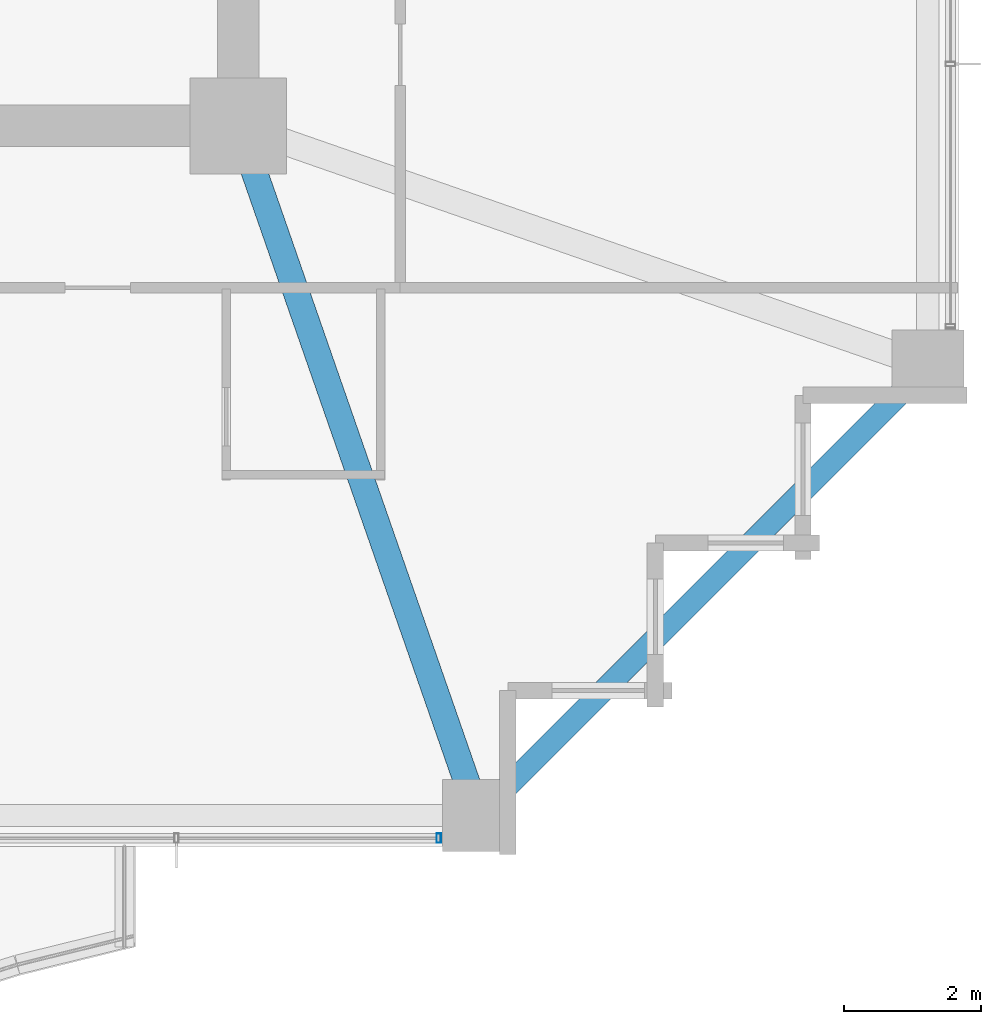
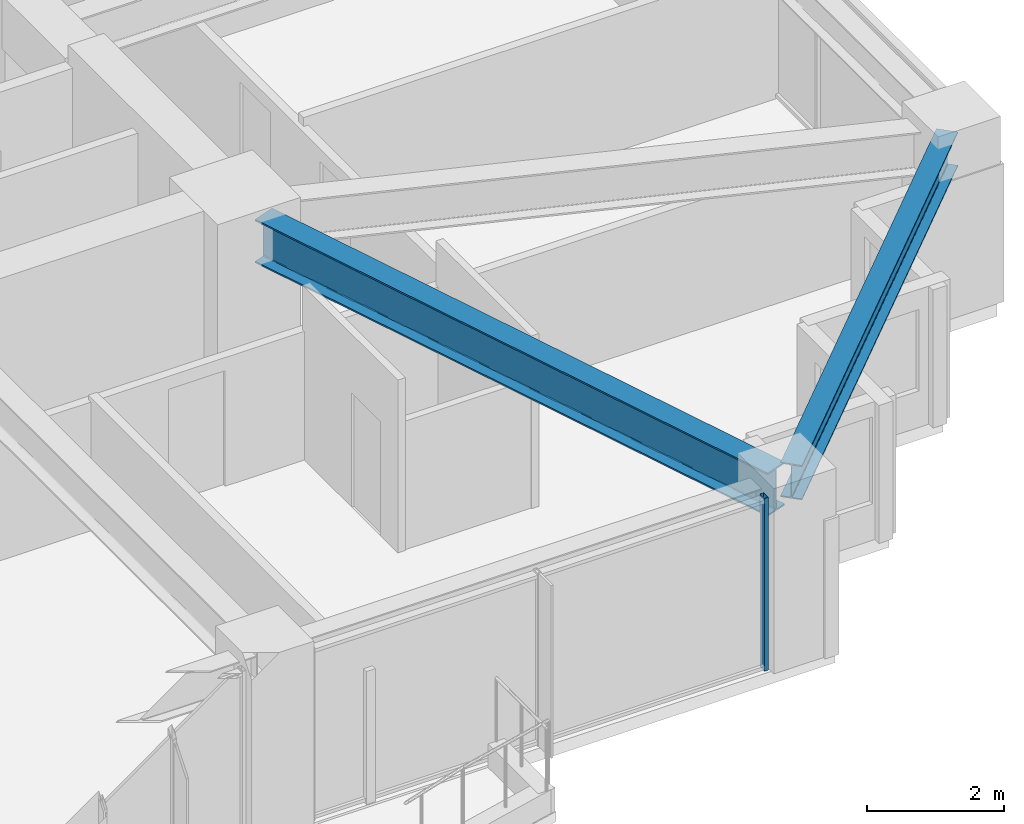
# One storey, part 13 of 38: 2 beams, 1 member, 1 element without a shape of its own.
"""IFC4 building model written with IfcOpenShell, lengths in metres."""

from ifc_helpers import new_model, si_unit, direction, frame, origin, origin_2d, place, context, subcontext, project, spatial, hollow_rectangle, i_section, extrude, material, material_profile, profile_set, type_object, element, aggregate, save


model = new_model("IFC4")

# Units and contexts
model_context = context("Model", 3, precision=1e-05, world=origin(), true_north=direction((0.0, 1.0)))
body_context = subcontext(model_context, "Body", "Model", "MODEL_VIEW")
ifc_project = project(units=[si_unit("LENGTHUNIT", "METRE"), si_unit("AREAUNIT", "SQUARE_METRE"), si_unit("VOLUMEUNIT", "CUBIC_METRE"), si_unit("PLANEANGLEUNIT", "RADIAN"), si_unit("MASSUNIT", "GRAM", prefix="KILO")], contexts=[model_context])

# Site, building, storey
site_placement = place(None, origin())
site = spatial("IfcSite", under=ifc_project, at=site_placement, CompositionType="ELEMENT")
building_placement = place(site_placement, origin())
building = spatial("IfcBuilding", under=site, at=building_placement, Name="Kolvaren Belvedere", CompositionType="ELEMENT")
storey_placement = place(building_placement, frame((0.0, 0.0, 98.60009765625)))
storey = spatial("IfcBuildingStorey", under=building, at=storey_placement, Name="L28", CompositionType="ELEMENT", Elevation=98.60009765625)

# Beams
ifc_material_1 = material(Name="Structural steel ASTM A992 Grade 50", Category="steel")
ifc_material_profile_1 = material_profile(ifc_material_1, i_section(OverallWidth=0.381103515625, OverallDepth=0.77294921875, WebThickness=0.0166015625, FlangeThickness=0.027099609375, FilletRadius=0.02392578125, at=origin_2d()), Name="W30X173")
ifc_profile_set_1 = profile_set([ifc_material_profile_1], Name="Structural steel ASTM A992 Grade 50")
beam_type_1 = type_object("IfcBeamType", Name="BM-GIRD-W30X173", PredefinedType="BEAM", material=ifc_profile_set_1)
beam_1_placement = place(storey_placement, frame((10.080810546875, -10.41943359375, 2.693359375), z_axis=(0.328880894453, -0.944371408538, 0.0), x_axis=(0.944371408538, 0.328880894453, 0.0)))
element("IfcBeam", 1, at=beam_1_placement, inside=storey, type_object=beam_type_1, Name="L28 Corner Core-to-Perimeter Girder CC2-S4", PredefinedType="BEAM", context=body_context, shape_type="SweptSolid", body=[
    extrude(i_section(OverallWidth=0.381103515625, OverallDepth=0.77294921875, WebThickness=0.0166015625, FlangeThickness=0.027099609375, FilletRadius=0.02392578125, at=origin_2d()), origin(), (0.0, 0.0, 1.0), 9.882080078125),
])
ifc_material_2 = material(Name="Structural steel ASTM A992 Grade 50", Category="steel")
ifc_material_profile_2 = material_profile(ifc_material_2, i_section(OverallWidth=0.324951171875, OverallDepth=0.615966796875, WebThickness=0.013916015625, FlangeThickness=0.021484375, FilletRadius=0.02001953125, at=origin_2d()), Name="W24X117")
ifc_profile_set_2 = profile_set([ifc_material_profile_2], Name="Structural steel ASTM A992 Grade 50")
beam_type_2 = type_object("IfcBeamType", Name="BM-SPAN-W24X117", PredefinedType="SPANDREL", material=ifc_profile_set_2)
beam_2_placement = place(storey_placement, frame((13.567138671875, -19.782958984375, 2.77197265625), z_axis=(0.707106781187, 0.707106781187, 0.0), x_axis=(-0.707106781187, 0.707106781187, 0.0)))
element("IfcBeam", 2, at=beam_2_placement, inside=storey, type_object=beam_type_2, Name="L28 Perimeter Spandrel S4-E1", PredefinedType="SPANDREL", context=body_context, shape_type="SweptSolid", body=[
    extrude(i_section(OverallWidth=0.324951171875, OverallDepth=0.615966796875, WebThickness=0.013916015625, FlangeThickness=0.021484375, FilletRadius=0.02001953125, at=origin_2d()), origin(), (0.0, 0.0, 1.0), 8.79052734375),
])

# Curtain wall, member
ifc_material_3 = material(Name="Anodised pale-metal aluminium AA 6063-T6", Category="aluminium")
curtain_wall_type = type_object("IfcCurtainWallType", Name="CW-Z2-MID", PredefinedType="NOTDEFINED", material=ifc_material_3)
curtain_wall_placement = place(storey_placement, origin())
curtain_wall = element("IfcCurtainWall", 3, at=curtain_wall_placement, inside=storey, type_object=curtain_wall_type, Name="L28 Unitised Curtain Wall FCW-L28-S1-B1", PredefinedType="NOTDEFINED")
ifc_material_4 = material(Name="Anodised pale-metal aluminium AA 6063-T6", Category="aluminium")
ifc_material_profile_3 = material_profile(ifc_material_4, hollow_rectangle(XDim=0.06494140625, YDim=0.139892578125, WallThickness=0.00390625, at=origin_2d()), Name="ALU-MUL-140X65")
ifc_profile_set_3 = profile_set([ifc_material_profile_3], Name="Anodised pale-metal aluminium AA 6063-T6")
member_type = type_object("IfcMemberType", Name="CW-MUL-140", PredefinedType="MULLION", material=ifc_profile_set_3)
member_placement = place(storey_placement, frame((12.822509765625, -20.280029296875, 0.0), z_axis=(0.0, 0.0, 1.0), x_axis=(1.0, 0.0, 0.0)))
member = element("IfcMember", 4, at=member_placement, type_object=member_type, Name="FCW-L28-S1-B1 Unitised Mullion 1", PredefinedType="MULLION", context=body_context, shape_type="SweptSolid", body=[
    extrude(hollow_rectangle(XDim=0.06494140625, YDim=0.139892578125, WallThickness=0.00390625, at=origin_2d()), origin(), (0.0, 0.0, 1.0), 3.079833984375),
])
aggregate(curtain_wall, [member])

save(model, "model.ifc")
